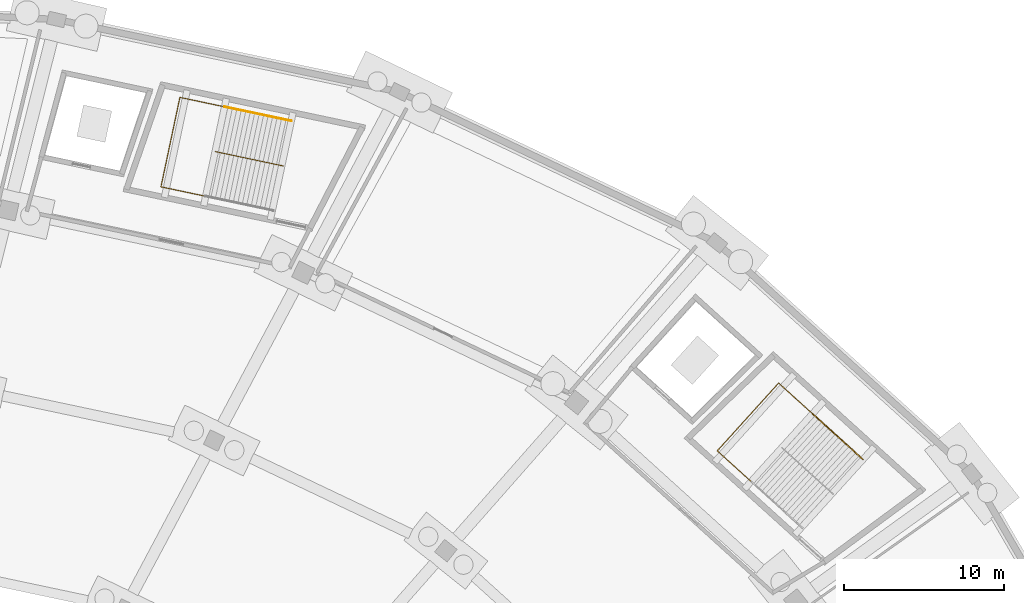
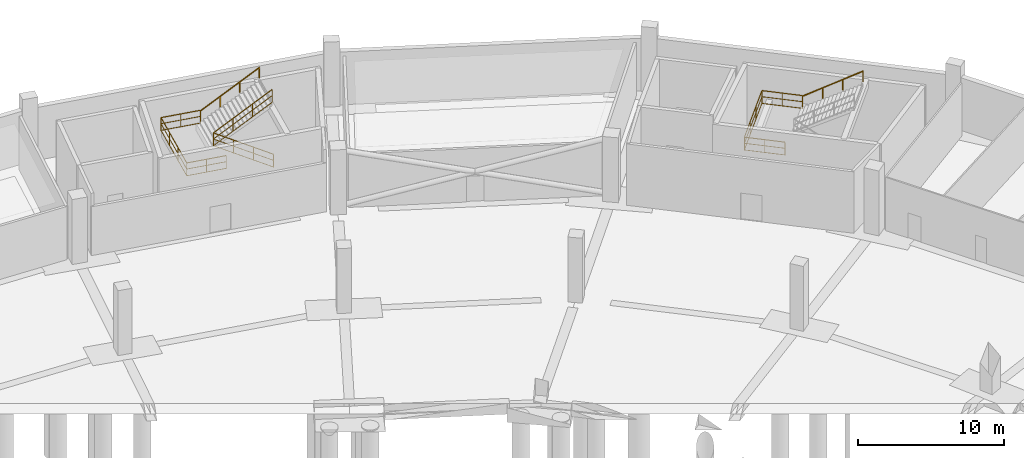
# One storey, part 48 of 49: 5 railings.
"""IFC4 building model written with IfcOpenShell, lengths in metres."""

from ifc_helpers import new_model, si_unit, direction, frame, origin, origin_2d, place, context, subcontext, project, spatial, rectangle, extrude, material, type_object, element, save


model = new_model("IFC4")

# Units and contexts
model_context = context("Model", 3, precision=1e-05, world=origin(), true_north=direction((0.0, 1.0)))
body_context = subcontext(model_context, "Body", "Model", "MODEL_VIEW")
ifc_project = project(units=[si_unit("LENGTHUNIT", "METRE"), si_unit("AREAUNIT", "SQUARE_METRE"), si_unit("VOLUMEUNIT", "CUBIC_METRE"), si_unit("PLANEANGLEUNIT", "RADIAN"), si_unit("MASSUNIT", "GRAM", prefix="KILO")], contexts=[model_context])

# Site, building, storey
site_placement = place(None, origin())
site = spatial("IfcSite", under=ifc_project, at=site_placement, CompositionType="ELEMENT")
building_placement = place(site_placement, origin())
building = spatial("IfcBuilding", under=site, at=building_placement, Name="Kazemori Nagisa Stadium", CompositionType="ELEMENT")
storey_placement = place(building_placement, frame((0.0, 0.0, -5.43994140625)))
storey = spatial("IfcBuildingStorey", under=building, at=storey_placement, Name="B1", CompositionType="ELEMENT", Elevation=-5.43994140625)

# Railings
ifc_material_1 = material(Name="Galvanised powder-coated steel", Category="steel")
railing_type_1 = type_object("IfcRailingType", Name="Rail_GUARD", PredefinedType="GUARDRAIL", material=ifc_material_1)
railing_1_placement = place(storey_placement, frame((187.729248046875, 158.18310546875, 2.719970703125)))
element("IfcRailing", 1, at=railing_1_placement, inside=storey, type_object=railing_type_1, Name="Stair landing guard ST01-B1", PredefinedType="GUARDRAIL", context=body_context, shape_type="SweptSolid", body=[
    extrude(rectangle(XDim=0.050048828125, YDim=0.050048828125, at=origin_2d()), frame((0.0, 0.0, 1.09521484375), z_axis=(-0.741314535645, 0.671157775223, 0.0), x_axis=(-0.671157775223, -0.741314535645, 0.0)), (0.0, 0.0, 1.0), 2.85009765625),
    extrude(rectangle(XDim=0.03759765625, YDim=0.03759765625, at=origin_2d()), frame((0.0, 0.0, 0.58251953125), z_axis=(-0.741314535645, 0.671157775223, 0.0), x_axis=(-0.671157775223, -0.741314535645, 0.0)), (0.0, 0.0, 1.0), 2.85009765625),
    extrude(rectangle(XDim=0.03759765625, YDim=0.03759765625, at=origin_2d()), frame((0.0, 0.0, 0.02490234375), z_axis=(-0.741314535645, 0.671157775223, 0.0), x_axis=(-0.671157775223, -0.741314535645, 0.0)), (0.0, 0.0, 1.0), 2.85009765625),
    extrude(rectangle(XDim=0.050048828125, YDim=0.050048828125, at=origin_2d()), frame((-2.11279296875, 1.912841796875, 1.09521484375), z_axis=(0.67113423669, 0.74133584585, 0.0), x_axis=(-0.74133584585, 0.67113423669, 0.0)), (0.0, 0.0, 1.0), 5.699951171875),
    extrude(rectangle(XDim=0.03759765625, YDim=0.03759765625, at=origin_2d()), frame((-2.11279296875, 1.912841796875, 0.58251953125), z_axis=(0.67113423669, 0.74133584585, 0.0), x_axis=(-0.74133584585, 0.67113423669, 0.0)), (0.0, 0.0, 1.0), 5.699951171875),
    extrude(rectangle(XDim=0.03759765625, YDim=0.03759765625, at=origin_2d()), frame((-2.11279296875, 1.912841796875, 0.02490234375), z_axis=(0.67113423669, 0.74133584585, 0.0), x_axis=(-0.74133584585, 0.67113423669, 0.0)), (0.0, 0.0, 1.0), 5.699951171875),
    extrude(rectangle(XDim=0.050048828125, YDim=0.050048828125, at=origin_2d()), frame((1.712646484375, 6.138427734375, 1.09521484375), z_axis=(0.741357156534, -0.671110696127, 0.0), x_axis=(0.671110696127, 0.741357156534, 0.0)), (0.0, 0.0, 1.0), 2.849853515625),
    extrude(rectangle(XDim=0.03759765625, YDim=0.03759765625, at=origin_2d()), frame((1.712646484375, 6.138427734375, 0.58251953125), z_axis=(0.741357156534, -0.671110696127, 0.0), x_axis=(0.671110696127, 0.741357156534, 0.0)), (0.0, 0.0, 1.0), 2.849853515625),
    extrude(rectangle(XDim=0.03759765625, YDim=0.03759765625, at=origin_2d()), frame((1.712646484375, 6.138427734375, 0.02490234375), z_axis=(0.741357156534, -0.671110696127, 0.0), x_axis=(0.671110696127, 0.741357156534, 0.0)), (0.0, 0.0, 1.0), 2.849853515625),
    extrude(rectangle(XDim=0.044921875, YDim=0.044921875, at=origin_2d()), origin(), (0.0, 0.0, 1.0), 1.070068359375),
    extrude(rectangle(XDim=0.044921875, YDim=0.044921875, at=origin_2d()), frame((-1.056396484375, 0.95654296875, 0.0)), (0.0, 0.0, 1.0), 1.070068359375),
    extrude(rectangle(XDim=0.044921875, YDim=0.044921875, at=origin_2d()), frame((-2.11279296875, 1.912841796875, 0.0)), (0.0, 0.0, 1.0), 1.070068359375),
    extrude(rectangle(XDim=0.044921875, YDim=0.044921875, at=origin_2d()), frame((-0.837646484375, 3.3212890625, 0.0)), (0.0, 0.0, 1.0), 1.070068359375),
    extrude(rectangle(XDim=0.044921875, YDim=0.044921875, at=origin_2d()), frame((0.4375, 4.72998046875, 0.0)), (0.0, 0.0, 1.0), 1.070068359375),
    extrude(rectangle(XDim=0.044921875, YDim=0.044921875, at=origin_2d()), frame((1.712646484375, 6.138427734375, 0.0)), (0.0, 0.0, 1.0), 1.070068359375),
    extrude(rectangle(XDim=0.044921875, YDim=0.044921875, at=origin_2d()), frame((2.76904296875, 5.18212890625, 0.0)), (0.0, 0.0, 1.0), 1.070068359375),
    extrude(rectangle(XDim=0.044921875, YDim=0.044921875, at=origin_2d()), frame((3.825439453125, 4.225830078125, 0.0)), (0.0, 0.0, 1.0), 1.070068359375),
])
railing_2_placement = place(storey_placement, frame((158.546875, 177.858154296875, 0.0)))
element("IfcRailing", 2, at=railing_2_placement, inside=storey, type_object=railing_type_1, Name="Stair central guard ST11-B1", PredefinedType="GUARDRAIL", context=body_context, shape_type="SweptSolid", body=[
    extrude(rectangle(XDim=0.050048828125, YDim=0.050048828125, at=origin_2d()), frame((0.0, 0.0, 1.09521484375), z_axis=(-0.828171188942, 0.175229574165, 0.532378698056), x_axis=(-0.207003271495, -0.978340250419, 0.0)), (0.0, 0.0, 1.0), 5.109130859375),
    extrude(rectangle(XDim=0.03759765625, YDim=0.03759765625, at=origin_2d()), frame((0.0, 0.0, 0.58251953125), z_axis=(-0.828171188942, 0.175229574165, 0.532378698056), x_axis=(-0.207003271495, -0.978340250419, 0.0)), (0.0, 0.0, 1.0), 5.109130859375),
    extrude(rectangle(XDim=0.03759765625, YDim=0.03759765625, at=origin_2d()), frame((0.0, 0.0, 0.02490234375), z_axis=(-0.828171188942, 0.175229574165, 0.532378698056), x_axis=(-0.207003271495, -0.978340250419, 0.0)), (0.0, 0.0, 1.0), 5.109130859375),
    extrude(rectangle(XDim=0.050048828125, YDim=0.050048828125, at=origin_2d()), frame((-4.231201171875, 0.895263671875, 3.81494140625), z_axis=(0.823751834377, -0.174280339305, 0.539499099806), x_axis=(0.206987174116, 0.978343656264, 0.0)), (0.0, 0.0, 1.0), 5.041748046875),
    extrude(rectangle(XDim=0.03759765625, YDim=0.03759765625, at=origin_2d()), frame((-4.231201171875, 0.895263671875, 3.302490234375), z_axis=(0.823751834377, -0.174280339305, 0.539499099806), x_axis=(0.206987174116, 0.978343656264, 0.0)), (0.0, 0.0, 1.0), 5.041748046875),
    extrude(rectangle(XDim=0.03759765625, YDim=0.03759765625, at=origin_2d()), frame((-4.231201171875, 0.895263671875, 2.7451171875), z_axis=(0.823751834377, -0.174280339305, 0.539499099806), x_axis=(0.206987174116, 0.978343656264, 0.0)), (0.0, 0.0, 1.0), 5.041748046875),
    extrude(rectangle(XDim=0.044921875, YDim=0.044921875, at=origin_2d()), origin(), (0.0, 0.0, 1.0), 1.070068359375),
    extrude(rectangle(XDim=0.044921875, YDim=0.044921875, at=origin_2d()), frame((-1.410400390625, 0.29833984375, 0.90673828125)), (0.0, 0.0, 1.0), 1.070068359375),
    extrude(rectangle(XDim=0.044921875, YDim=0.044921875, at=origin_2d()), frame((-2.82080078125, 0.596923828125, 1.813232421875)), (0.0, 0.0, 1.0), 1.070068359375),
    extrude(rectangle(XDim=0.044921875, YDim=0.044921875, at=origin_2d()), frame((-4.231201171875, 0.895263671875, 2.719970703125)), (0.0, 0.0, 1.0), 1.070068359375),
    extrude(rectangle(XDim=0.044921875, YDim=0.044921875, at=origin_2d()), frame((-2.846923828125, 0.602294921875, 3.626708984375)), (0.0, 0.0, 1.0), 1.070068359375),
    extrude(rectangle(XDim=0.044921875, YDim=0.044921875, at=origin_2d()), frame((-1.46240234375, 0.3095703125, 4.533203125)), (0.0, 0.0, 1.0), 1.070068359375),
    extrude(rectangle(XDim=0.044921875, YDim=0.044921875, at=origin_2d()), frame((-0.078125, 0.0166015625, 5.43994140625)), (0.0, 0.0, 1.0), 1.070068359375),
])
railing_3_placement = place(storey_placement, frame((153.725830078125, 175.965087890625, 2.719970703125)))
element("IfcRailing", 3, at=railing_3_placement, inside=storey, type_object=railing_type_1, Name="Stair landing guard ST11-B1", PredefinedType="GUARDRAIL", context=body_context, shape_type="SweptSolid", body=[
    extrude(rectangle(XDim=0.050048828125, YDim=0.050048828125, at=origin_2d()), frame((0.0, 0.0, 1.09521484375), z_axis=(-0.978349369565, 0.206960167837, 0.0), x_axis=(-0.206960167837, -0.978349369565, 0.0)), (0.0, 0.0, 1.0), 2.85009765625),
    extrude(rectangle(XDim=0.03759765625, YDim=0.03759765625, at=origin_2d()), frame((0.0, 0.0, 0.58251953125), z_axis=(-0.978349369565, 0.206960167837, 0.0), x_axis=(-0.206960167837, -0.978349369565, 0.0)), (0.0, 0.0, 1.0), 2.85009765625),
    extrude(rectangle(XDim=0.03759765625, YDim=0.03759765625, at=origin_2d()), frame((0.0, 0.0, 0.02490234375), z_axis=(-0.978349369565, 0.206960167837, 0.0), x_axis=(-0.206960167837, -0.978349369565, 0.0)), (0.0, 0.0, 1.0), 2.85009765625),
    extrude(rectangle(XDim=0.050048828125, YDim=0.050048828125, at=origin_2d()), frame((-2.788330078125, 0.58984375, 1.09521484375), z_axis=(0.206960167837, 0.978349369565, 0.0), x_axis=(-0.978349369565, 0.206960167837, 0.0)), (0.0, 0.0, 1.0), 5.699951171875),
    extrude(rectangle(XDim=0.03759765625, YDim=0.03759765625, at=origin_2d()), frame((-2.788330078125, 0.58984375, 0.58251953125), z_axis=(0.206960167837, 0.978349369565, 0.0), x_axis=(-0.978349369565, 0.206960167837, 0.0)), (0.0, 0.0, 1.0), 5.699951171875),
    extrude(rectangle(XDim=0.03759765625, YDim=0.03759765625, at=origin_2d()), frame((-2.788330078125, 0.58984375, 0.02490234375), z_axis=(0.206960167837, 0.978349369565, 0.0), x_axis=(-0.978349369565, 0.206960167837, 0.0)), (0.0, 0.0, 1.0), 5.699951171875),
    extrude(rectangle(XDim=0.050048828125, YDim=0.050048828125, at=origin_2d()), frame((-1.608642578125, 6.16650390625, 1.09521484375), z_axis=(0.978349369565, -0.206960167837, 0.0), x_axis=(0.206960167837, 0.978349369565, 0.0)), (0.0, 0.0, 1.0), 2.85009765625),
    extrude(rectangle(XDim=0.03759765625, YDim=0.03759765625, at=origin_2d()), frame((-1.608642578125, 6.16650390625, 0.58251953125), z_axis=(0.978349369565, -0.206960167837, 0.0), x_axis=(0.206960167837, 0.978349369565, 0.0)), (0.0, 0.0, 1.0), 2.85009765625),
    extrude(rectangle(XDim=0.03759765625, YDim=0.03759765625, at=origin_2d()), frame((-1.608642578125, 6.16650390625, 0.02490234375), z_axis=(0.978349369565, -0.206960167837, 0.0), x_axis=(0.206960167837, 0.978349369565, 0.0)), (0.0, 0.0, 1.0), 2.85009765625),
    extrude(rectangle(XDim=0.044921875, YDim=0.044921875, at=origin_2d()), origin(), (0.0, 0.0, 1.0), 1.070068359375),
    extrude(rectangle(XDim=0.044921875, YDim=0.044921875, at=origin_2d()), frame((-1.39404296875, 0.294921875, 0.0)), (0.0, 0.0, 1.0), 1.070068359375),
    extrude(rectangle(XDim=0.044921875, YDim=0.044921875, at=origin_2d()), frame((-2.788330078125, 0.58984375, 0.0)), (0.0, 0.0, 1.0), 1.070068359375),
    extrude(rectangle(XDim=0.044921875, YDim=0.044921875, at=origin_2d()), frame((-2.39501953125, 2.44873046875, 0.0)), (0.0, 0.0, 1.0), 1.070068359375),
    extrude(rectangle(XDim=0.044921875, YDim=0.044921875, at=origin_2d()), frame((-2.001953125, 4.3076171875, 0.0)), (0.0, 0.0, 1.0), 1.070068359375),
    extrude(rectangle(XDim=0.044921875, YDim=0.044921875, at=origin_2d()), frame((-1.608642578125, 6.16650390625, 0.0)), (0.0, 0.0, 1.0), 1.070068359375),
    extrude(rectangle(XDim=0.044921875, YDim=0.044921875, at=origin_2d()), frame((-0.21435546875, 5.87158203125, 0.0)), (0.0, 0.0, 1.0), 1.070068359375),
    extrude(rectangle(XDim=0.044921875, YDim=0.044921875, at=origin_2d()), frame((1.1796875, 5.57666015625, 0.0)), (0.0, 0.0, 1.0), 1.070068359375),
])
ifc_material_2 = material(Name="Stainless steel SUS304", Category="steel")
railing_type_2 = type_object("IfcRailingType", Name="Rail_HAND", PredefinedType="HANDRAIL", material=ifc_material_2)
railing_4_placement = place(storey_placement, frame((191.5546875, 162.408935546875, 2.889892578125)))
element("IfcRailing", 4, at=railing_4_placement, inside=storey, type_object=railing_type_2, Name="Stair handrail ST01-B1-F2", PredefinedType="HANDRAIL", context=body_context, shape_type="SweptSolid", body=[
    extrude(rectangle(XDim=0.050048828125, YDim=0.050048828125, at=origin_2d()), frame((0.0, 0.0, 0.875), z_axis=(0.624200602078, -0.565073454279, 0.539504957933), x_axis=(0.671122625547, 0.741346357298, 0.0)), (0.0, 0.0, 1.0), 5.04150390625),
    extrude(rectangle(XDim=0.044921875, YDim=0.044921875, at=origin_2d()), origin(), (0.0, 0.0, 1.0), 0.849853515625),
    extrude(rectangle(XDim=0.044921875, YDim=0.044921875, at=origin_2d()), frame((1.049072265625, -0.94970703125, 0.90673828125)), (0.0, 0.0, 1.0), 0.849853515625),
    extrude(rectangle(XDim=0.044921875, YDim=0.044921875, at=origin_2d()), frame((2.097900390625, -1.899169921875, 1.813232421875)), (0.0, 0.0, 1.0), 0.849853515625),
    extrude(rectangle(XDim=0.044921875, YDim=0.044921875, at=origin_2d()), frame((3.14697265625, -2.848876953125, 2.719970703125)), (0.0, 0.0, 1.0), 0.849853515625),
])
railing_5_placement = place(storey_placement, frame((154.905517578125, 181.541748046875, 2.889892578125)))
element("IfcRailing", 5, at=railing_5_placement, inside=storey, type_object=railing_type_2, Name="Stair handrail ST11-B1-F2", PredefinedType="HANDRAIL", context=body_context, shape_type="SweptSolid", body=[
    extrude(rectangle(XDim=0.050048828125, YDim=0.050048828125, at=origin_2d()), frame((0.0, 0.0, 0.875), z_axis=(0.823751834377, -0.174280339305, 0.539499099806), x_axis=(0.206987174116, 0.978343656264, 0.0)), (0.0, 0.0, 1.0), 5.041748046875),
    extrude(rectangle(XDim=0.044921875, YDim=0.044921875, at=origin_2d()), origin(), (0.0, 0.0, 1.0), 0.849853515625),
    extrude(rectangle(XDim=0.044921875, YDim=0.044921875, at=origin_2d()), frame((1.38427734375, -0.29296875, 0.90673828125)), (0.0, 0.0, 1.0), 0.849853515625),
    extrude(rectangle(XDim=0.044921875, YDim=0.044921875, at=origin_2d()), frame((2.768798828125, -0.585693359375, 1.813232421875)), (0.0, 0.0, 1.0), 0.849853515625),
    extrude(rectangle(XDim=0.044921875, YDim=0.044921875, at=origin_2d()), frame((4.153076171875, -0.878662109375, 2.719970703125)), (0.0, 0.0, 1.0), 0.849853515625),
])

save(model, "model.ifc")
